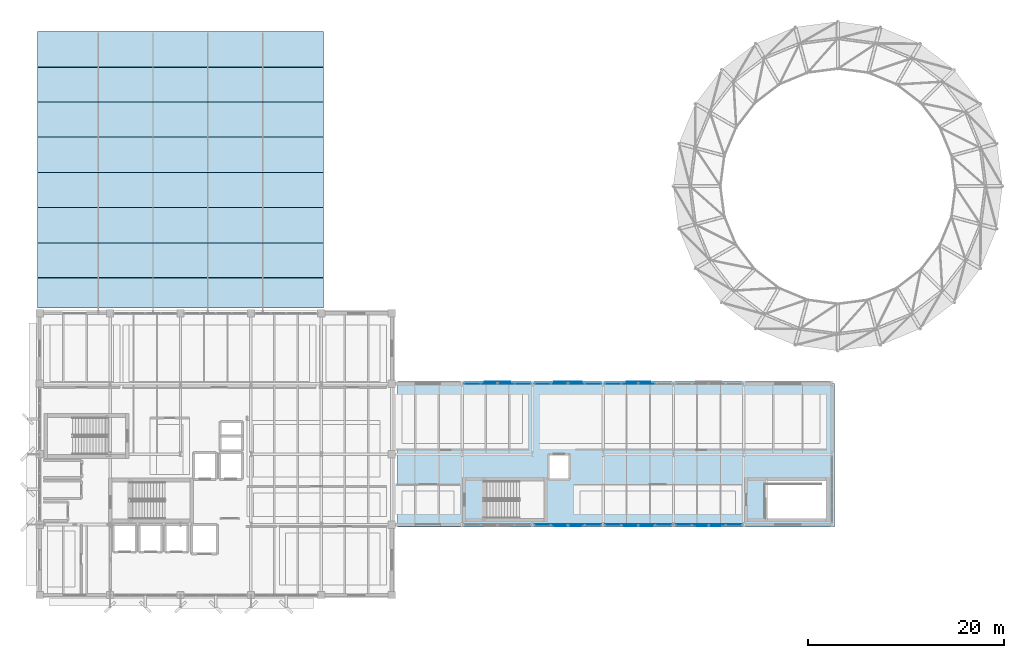
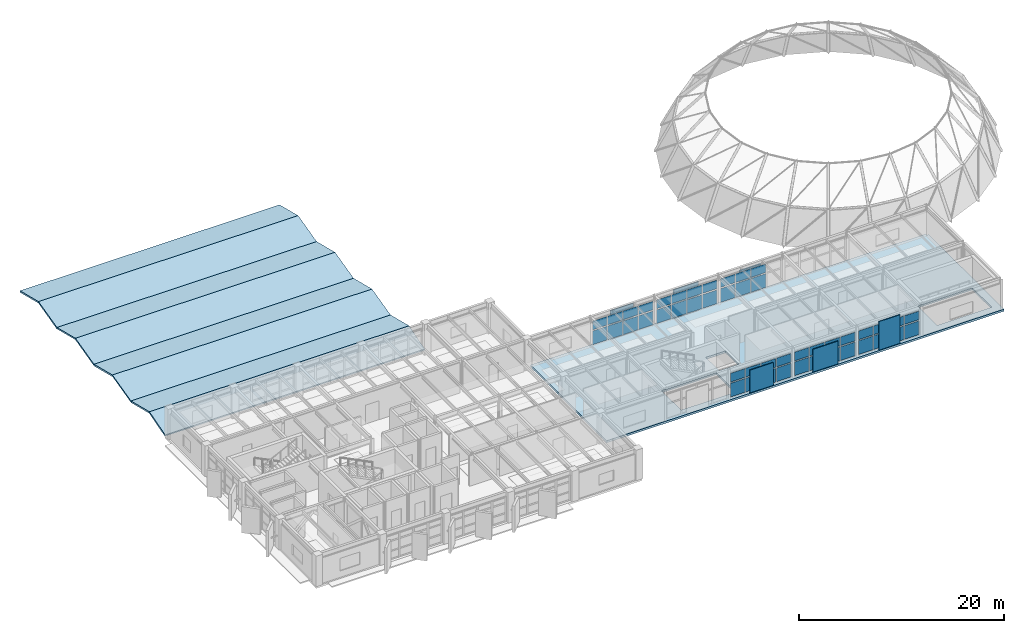
# One storey, part 28 of 48: 52 plates, 9 slabs, 6 elements without a shape of their own.
"""IFC4 building model written with IfcOpenShell, lengths in metres."""

from ifc_helpers import new_model, si_unit, direction, frame, origin, origin_2d, place, context, subcontext, project, spatial, polyline, rectangle, outline, extrude, material, layer, layer_set, type_object, element, aggregate, save


model = new_model("IFC4")

# Units and contexts
model_context = context("Model", 3, precision=1e-05, world=origin(), true_north=direction((0.0, 1.0)))
body_context = subcontext(model_context, "Body", "Model", "MODEL_VIEW")
ifc_project = project(units=[si_unit("LENGTHUNIT", "METRE"), si_unit("AREAUNIT", "SQUARE_METRE"), si_unit("VOLUMEUNIT", "CUBIC_METRE"), si_unit("PLANEANGLEUNIT", "RADIAN"), si_unit("MASSUNIT", "GRAM", prefix="KILO")], contexts=[model_context])

# Site, building, storey
site_placement = place(None, origin())
site = spatial("IfcSite", under=ifc_project, at=site_placement, CompositionType="ELEMENT")
building_placement = place(site_placement, origin())
building = spatial("IfcBuilding", under=site, at=building_placement, Name="Kandorven Conservatory and Botanical Research Centre", CompositionType="ELEMENT")
storey_placement = place(building_placement, frame((0.0, 0.0, 13.199951171875)))
storey = spatial("IfcBuildingStorey", under=building, at=storey_placement, Name="L03", CompositionType="ELEMENT", Elevation=13.199951171875)

# Curtain wall, plates
ifc_material_1 = material(Name="Bronze anodised thermally broken aluminium", Category="aluminium")
ifc_layer_1 = layer(ifc_material_1, 0.179931640625)
ifc_layer_set_1 = layer_set([ifc_layer_1], Name="Bronze anodised thermally broken aluminium")
curtain_wall_type = type_object("IfcCurtainWallType", Name="CW_Unitised", PredefinedType="USERDEFINED", material=ifc_layer_set_1)
curtain_wall_1_placement = place(storey_placement, origin())
curtain_wall_1 = element("IfcCurtainWall", 1, at=curtain_wall_1_placement, inside=storey, type_object=curtain_wall_type, Name="Visitor wing unitised curtain wall CW-VIS-S-L03-3", ObjectType="UNITISED GLAZING", PredefinedType="USERDEFINED")
ifc_material_2 = material(Name="Double-glazed solar-control low-E glass", Category="glass")
ifc_layer_2 = layer(ifc_material_2, 0.028076171875)
ifc_layer_set_2 = layer_set([ifc_layer_2], Name="Double-glazed solar-control low-E glass")
plate_type_1 = type_object("IfcPlateType", Name="CW_Panel", PredefinedType="CURTAIN_PANEL", material=ifc_layer_set_2)
plate_1_placement = place(storey_placement, frame((57.413818359375, 13.199951171875, 0.150146484375), z_axis=(0.0, 0.0, 1.0), x_axis=(1.0, 0.0, 0.0)))
plate_1 = element("IfcPlate", 2, at=plate_1_placement, type_object=plate_type_1, Name="CW-01 panel 1.1", PredefinedType="CURTAIN_PANEL", context=body_context, shape_type="SweptSolid", body=[
    extrude(rectangle(XDim=1.617431640625, YDim=0.028076171875, at=origin_2d()), origin(), (0.0, 0.0, 1.0), 1.625),
])
plate_2_placement = place(storey_placement, frame((57.413818359375, 13.199951171875, 1.925048828125), z_axis=(0.0, 0.0, 1.0), x_axis=(1.0, 0.0, 0.0)))
plate_2 = element("IfcPlate", 3, at=plate_2_placement, type_object=plate_type_1, Name="CW-01 panel 1.2", PredefinedType="CURTAIN_PANEL", context=body_context, shape_type="SweptSolid", body=[
    extrude(rectangle(XDim=1.617431640625, YDim=0.028076171875, at=origin_2d()), origin(), (0.0, 0.0, 1.0), 1.02490234375),
])
plate_3_placement = place(storey_placement, frame((59.13134765625, 13.199951171875, 0.150146484375), z_axis=(0.0, 0.0, 1.0), x_axis=(1.0, 0.0, 0.0)))
plate_3 = element("IfcPlate", 4, at=plate_3_placement, type_object=plate_type_1, Name="CW-01 panel 2.1", PredefinedType="CURTAIN_PANEL", context=body_context, shape_type="SweptSolid", body=[
    extrude(rectangle(XDim=1.657470703125, YDim=0.028076171875, at=origin_2d()), origin(), (0.0, 0.0, 1.0), 1.625),
])
plate_4_placement = place(storey_placement, frame((59.13134765625, 13.199951171875, 1.925048828125), z_axis=(0.0, 0.0, 1.0), x_axis=(1.0, 0.0, 0.0)))
plate_4 = element("IfcPlate", 5, at=plate_4_placement, type_object=plate_type_1, Name="CW-01 panel 2.2", PredefinedType="CURTAIN_PANEL", context=body_context, shape_type="SweptSolid", body=[
    extrude(rectangle(XDim=1.657470703125, YDim=0.028076171875, at=origin_2d()), origin(), (0.0, 0.0, 1.0), 1.02490234375),
])
plate_5_placement = place(storey_placement, frame((60.86865234375, 13.199951171875, 0.150146484375), z_axis=(0.0, 0.0, 1.0), x_axis=(1.0, 0.0, 0.0)))
plate_5 = element("IfcPlate", 6, at=plate_5_placement, type_object=plate_type_1, Name="CW-01 panel 3.1", PredefinedType="CURTAIN_PANEL", context=body_context, shape_type="SweptSolid", body=[
    extrude(rectangle(XDim=1.657470703125, YDim=0.028076171875, at=origin_2d()), origin(), (0.0, 0.0, 1.0), 1.625),
])
plate_6_placement = place(storey_placement, frame((60.86865234375, 13.199951171875, 1.925048828125), z_axis=(0.0, 0.0, 1.0), x_axis=(1.0, 0.0, 0.0)))
plate_6 = element("IfcPlate", 7, at=plate_6_placement, type_object=plate_type_1, Name="CW-01 panel 3.2", PredefinedType="CURTAIN_PANEL", context=body_context, shape_type="SweptSolid", body=[
    extrude(rectangle(XDim=1.657470703125, YDim=0.028076171875, at=origin_2d()), origin(), (0.0, 0.0, 1.0), 1.02490234375),
])
plate_7_placement = place(storey_placement, frame((62.586181640625, 13.199951171875, 0.150146484375), z_axis=(0.0, 0.0, 1.0), x_axis=(1.0, 0.0, 0.0)))
plate_7 = element("IfcPlate", 8, at=plate_7_placement, type_object=plate_type_1, Name="CW-01 panel 4.1", PredefinedType="CURTAIN_PANEL", context=body_context, shape_type="SweptSolid", body=[
    extrude(rectangle(XDim=1.617431640625, YDim=0.028076171875, at=origin_2d()), origin(), (0.0, 0.0, 1.0), 1.625),
])
plate_8_placement = place(storey_placement, frame((62.586181640625, 13.199951171875, 1.925048828125), z_axis=(0.0, 0.0, 1.0), x_axis=(1.0, 0.0, 0.0)))
plate_8 = element("IfcPlate", 9, at=plate_8_placement, type_object=plate_type_1, Name="CW-01 panel 4.2", PredefinedType="CURTAIN_PANEL", context=body_context, shape_type="SweptSolid", body=[
    extrude(rectangle(XDim=1.617431640625, YDim=0.028076171875, at=origin_2d()), origin(), (0.0, 0.0, 1.0), 1.02490234375),
])
aggregate(curtain_wall_1, [plate_1, plate_2, plate_3, plate_4, plate_5, plate_6, plate_7, plate_8])

curtain_wall_2_placement = place(storey_placement, origin())
curtain_wall_2 = element("IfcCurtainWall", 10, at=curtain_wall_2_placement, inside=storey, type_object=curtain_wall_type, Name="Visitor wing unitised curtain wall CW-VIS-S-L03-4", ObjectType="UNITISED GLAZING", PredefinedType="USERDEFINED")
plate_9_placement = place(storey_placement, frame((64.61376953125, 13.199951171875, 0.150146484375), z_axis=(0.0, 0.0, 1.0), x_axis=(1.0, 0.0, 0.0)))
plate_9 = element("IfcPlate", 11, at=plate_9_placement, type_object=plate_type_1, Name="CW-01 panel 1.1", PredefinedType="CURTAIN_PANEL", context=body_context, shape_type="SweptSolid", body=[
    extrude(rectangle(XDim=1.617431640625, YDim=0.028076171875, at=origin_2d()), origin(), (0.0, 0.0, 1.0), 1.625),
])
plate_10_placement = place(storey_placement, frame((64.61376953125, 13.199951171875, 1.925048828125), z_axis=(0.0, 0.0, 1.0), x_axis=(1.0, 0.0, 0.0)))
plate_10 = element("IfcPlate", 12, at=plate_10_placement, type_object=plate_type_1, Name="CW-01 panel 1.2", PredefinedType="CURTAIN_PANEL", context=body_context, shape_type="SweptSolid", body=[
    extrude(rectangle(XDim=1.617431640625, YDim=0.028076171875, at=origin_2d()), origin(), (0.0, 0.0, 1.0), 1.02490234375),
])
plate_11_placement = place(storey_placement, frame((66.331298828125, 13.199951171875, 0.150146484375), z_axis=(0.0, 0.0, 1.0), x_axis=(1.0, 0.0, 0.0)))
plate_11 = element("IfcPlate", 13, at=plate_11_placement, type_object=plate_type_1, Name="CW-01 panel 2.1", PredefinedType="CURTAIN_PANEL", context=body_context, shape_type="SweptSolid", body=[
    extrude(rectangle(XDim=1.657470703125, YDim=0.028076171875, at=origin_2d()), origin(), (0.0, 0.0, 1.0), 1.625),
])
plate_12_placement = place(storey_placement, frame((66.331298828125, 13.199951171875, 1.925048828125), z_axis=(0.0, 0.0, 1.0), x_axis=(1.0, 0.0, 0.0)))
plate_12 = element("IfcPlate", 14, at=plate_12_placement, type_object=plate_type_1, Name="CW-01 panel 2.2", PredefinedType="CURTAIN_PANEL", context=body_context, shape_type="SweptSolid", body=[
    extrude(rectangle(XDim=1.657470703125, YDim=0.028076171875, at=origin_2d()), origin(), (0.0, 0.0, 1.0), 1.02490234375),
])
plate_13_placement = place(storey_placement, frame((68.06884765625, 13.199951171875, 0.150146484375), z_axis=(0.0, 0.0, 1.0), x_axis=(1.0, 0.0, 0.0)))
plate_13 = element("IfcPlate", 15, at=plate_13_placement, type_object=plate_type_1, Name="CW-01 panel 3.1", PredefinedType="CURTAIN_PANEL", context=body_context, shape_type="SweptSolid", body=[
    extrude(rectangle(XDim=1.657470703125, YDim=0.028076171875, at=origin_2d()), origin(), (0.0, 0.0, 1.0), 1.625),
])
plate_14_placement = place(storey_placement, frame((68.06884765625, 13.199951171875, 1.925048828125), z_axis=(0.0, 0.0, 1.0), x_axis=(1.0, 0.0, 0.0)))
plate_14 = element("IfcPlate", 16, at=plate_14_placement, type_object=plate_type_1, Name="CW-01 panel 3.2", PredefinedType="CURTAIN_PANEL", context=body_context, shape_type="SweptSolid", body=[
    extrude(rectangle(XDim=1.657470703125, YDim=0.028076171875, at=origin_2d()), origin(), (0.0, 0.0, 1.0), 1.02490234375),
])
plate_15_placement = place(storey_placement, frame((69.7861328125, 13.199951171875, 0.150146484375), z_axis=(0.0, 0.0, 1.0), x_axis=(1.0, 0.0, 0.0)))
plate_15 = element("IfcPlate", 17, at=plate_15_placement, type_object=plate_type_1, Name="CW-01 panel 4.1", PredefinedType="CURTAIN_PANEL", context=body_context, shape_type="SweptSolid", body=[
    extrude(rectangle(XDim=1.617431640625, YDim=0.028076171875, at=origin_2d()), origin(), (0.0, 0.0, 1.0), 1.625),
])
plate_16_placement = place(storey_placement, frame((69.7861328125, 13.199951171875, 1.925048828125), z_axis=(0.0, 0.0, 1.0), x_axis=(1.0, 0.0, 0.0)))
plate_16 = element("IfcPlate", 18, at=plate_16_placement, type_object=plate_type_1, Name="CW-01 panel 4.2", PredefinedType="CURTAIN_PANEL", context=body_context, shape_type="SweptSolid", body=[
    extrude(rectangle(XDim=1.617431640625, YDim=0.028076171875, at=origin_2d()), origin(), (0.0, 0.0, 1.0), 1.02490234375),
])
aggregate(curtain_wall_2, [plate_9, plate_10, plate_11, plate_12, plate_13, plate_14, plate_15, plate_16])

curtain_wall_3_placement = place(storey_placement, origin())
curtain_wall_3 = element("IfcCurtainWall", 19, at=curtain_wall_3_placement, inside=storey, type_object=curtain_wall_type, Name="Visitor wing unitised curtain wall CW-VIS-S-L03-5", ObjectType="UNITISED GLAZING", PredefinedType="USERDEFINED")
plate_17_placement = place(storey_placement, frame((71.813720703125, 13.199951171875, 0.150146484375), z_axis=(0.0, 0.0, 1.0), x_axis=(1.0, 0.0, 0.0)))
plate_17 = element("IfcPlate", 20, at=plate_17_placement, type_object=plate_type_1, Name="CW-01 panel 1.1", PredefinedType="CURTAIN_PANEL", context=body_context, shape_type="SweptSolid", body=[
    extrude(rectangle(XDim=1.617431640625, YDim=0.028076171875, at=origin_2d()), origin(), (0.0, 0.0, 1.0), 1.625),
])
plate_18_placement = place(storey_placement, frame((71.813720703125, 13.199951171875, 1.925048828125), z_axis=(0.0, 0.0, 1.0), x_axis=(1.0, 0.0, 0.0)))
plate_18 = element("IfcPlate", 21, at=plate_18_placement, type_object=plate_type_1, Name="CW-01 panel 1.2", PredefinedType="CURTAIN_PANEL", context=body_context, shape_type="SweptSolid", body=[
    extrude(rectangle(XDim=1.617431640625, YDim=0.028076171875, at=origin_2d()), origin(), (0.0, 0.0, 1.0), 1.02490234375),
])
plate_19_placement = place(storey_placement, frame((73.53125, 13.199951171875, 0.150146484375), z_axis=(0.0, 0.0, 1.0), x_axis=(1.0, 0.0, 0.0)))
plate_19 = element("IfcPlate", 22, at=plate_19_placement, type_object=plate_type_1, Name="CW-01 panel 2.1", PredefinedType="CURTAIN_PANEL", context=body_context, shape_type="SweptSolid", body=[
    extrude(rectangle(XDim=1.657470703125, YDim=0.028076171875, at=origin_2d()), origin(), (0.0, 0.0, 1.0), 1.625),
])
plate_20_placement = place(storey_placement, frame((73.53125, 13.199951171875, 1.925048828125), z_axis=(0.0, 0.0, 1.0), x_axis=(1.0, 0.0, 0.0)))
plate_20 = element("IfcPlate", 23, at=plate_20_placement, type_object=plate_type_1, Name="CW-01 panel 2.2", PredefinedType="CURTAIN_PANEL", context=body_context, shape_type="SweptSolid", body=[
    extrude(rectangle(XDim=1.657470703125, YDim=0.028076171875, at=origin_2d()), origin(), (0.0, 0.0, 1.0), 1.02490234375),
])
plate_21_placement = place(storey_placement, frame((75.268798828125, 13.199951171875, 0.150146484375), z_axis=(0.0, 0.0, 1.0), x_axis=(1.0, 0.0, 0.0)))
plate_21 = element("IfcPlate", 24, at=plate_21_placement, type_object=plate_type_1, Name="CW-01 panel 3.1", PredefinedType="CURTAIN_PANEL", context=body_context, shape_type="SweptSolid", body=[
    extrude(rectangle(XDim=1.657470703125, YDim=0.028076171875, at=origin_2d()), origin(), (0.0, 0.0, 1.0), 1.625),
])
plate_22_placement = place(storey_placement, frame((75.268798828125, 13.199951171875, 1.925048828125), z_axis=(0.0, 0.0, 1.0), x_axis=(1.0, 0.0, 0.0)))
plate_22 = element("IfcPlate", 25, at=plate_22_placement, type_object=plate_type_1, Name="CW-01 panel 3.2", PredefinedType="CURTAIN_PANEL", context=body_context, shape_type="SweptSolid", body=[
    extrude(rectangle(XDim=1.657470703125, YDim=0.028076171875, at=origin_2d()), origin(), (0.0, 0.0, 1.0), 1.02490234375),
])
plate_23_placement = place(storey_placement, frame((76.986328125, 13.199951171875, 0.150146484375), z_axis=(0.0, 0.0, 1.0), x_axis=(1.0, 0.0, 0.0)))
plate_23 = element("IfcPlate", 26, at=plate_23_placement, type_object=plate_type_1, Name="CW-01 panel 4.1", PredefinedType="CURTAIN_PANEL", context=body_context, shape_type="SweptSolid", body=[
    extrude(rectangle(XDim=1.617431640625, YDim=0.028076171875, at=origin_2d()), origin(), (0.0, 0.0, 1.0), 1.625),
])
plate_24_placement = place(storey_placement, frame((76.986328125, 13.199951171875, 1.925048828125), z_axis=(0.0, 0.0, 1.0), x_axis=(1.0, 0.0, 0.0)))
plate_24 = element("IfcPlate", 27, at=plate_24_placement, type_object=plate_type_1, Name="CW-01 panel 4.2", PredefinedType="CURTAIN_PANEL", context=body_context, shape_type="SweptSolid", body=[
    extrude(rectangle(XDim=1.617431640625, YDim=0.028076171875, at=origin_2d()), origin(), (0.0, 0.0, 1.0), 1.02490234375),
])
aggregate(curtain_wall_3, [plate_17, plate_18, plate_19, plate_20, plate_21, plate_22, plate_23, plate_24])

curtain_wall_4_placement = place(storey_placement, origin())
curtain_wall_4 = element("IfcCurtainWall", 28, at=curtain_wall_4_placement, inside=storey, type_object=curtain_wall_type, Name="Visitor wing unitised curtain wall CW-VIS-N-L03-2", ObjectType="UNITISED GLAZING", PredefinedType="USERDEFINED")
plate_25_placement = place(storey_placement, frame((50.2138671875, 27.60009765625, 0.150146484375), z_axis=(0.0, 0.0, 1.0), x_axis=(1.0, 0.0, 0.0)))
plate_25 = element("IfcPlate", 29, at=plate_25_placement, type_object=plate_type_1, Name="CW-01 panel 1.1", PredefinedType="CURTAIN_PANEL", context=body_context, shape_type="SweptSolid", body=[
    extrude(rectangle(XDim=1.617431640625, YDim=0.028076171875, at=origin_2d()), origin(), (0.0, 0.0, 1.0), 1.625),
])
plate_26_placement = place(storey_placement, frame((50.2138671875, 27.60009765625, 1.925048828125), z_axis=(0.0, 0.0, 1.0), x_axis=(1.0, 0.0, 0.0)))
plate_26 = element("IfcPlate", 30, at=plate_26_placement, type_object=plate_type_1, Name="CW-01 panel 1.2", PredefinedType="CURTAIN_PANEL", context=body_context, shape_type="SweptSolid", body=[
    extrude(rectangle(XDim=1.617431640625, YDim=0.028076171875, at=origin_2d()), origin(), (0.0, 0.0, 1.0), 1.02490234375),
])
plate_27_placement = place(storey_placement, frame((51.93115234375, 27.60009765625, 0.150146484375), z_axis=(0.0, 0.0, 1.0), x_axis=(1.0, 0.0, 0.0)))
plate_27 = element("IfcPlate", 31, at=plate_27_placement, type_object=plate_type_1, Name="CW-01 panel 2.1", PredefinedType="CURTAIN_PANEL", context=body_context, shape_type="SweptSolid", body=[
    extrude(rectangle(XDim=1.657470703125, YDim=0.028076171875, at=origin_2d()), origin(), (0.0, 0.0, 1.0), 1.625),
])
plate_28_placement = place(storey_placement, frame((51.93115234375, 27.60009765625, 1.925048828125), z_axis=(0.0, 0.0, 1.0), x_axis=(1.0, 0.0, 0.0)))
plate_28 = element("IfcPlate", 32, at=plate_28_placement, type_object=plate_type_1, Name="CW-01 panel 2.2", PredefinedType="CURTAIN_PANEL", context=body_context, shape_type="SweptSolid", body=[
    extrude(rectangle(XDim=1.657470703125, YDim=0.028076171875, at=origin_2d()), origin(), (0.0, 0.0, 1.0), 1.02490234375),
])
plate_29_placement = place(storey_placement, frame((53.668701171875, 27.60009765625, 0.150146484375), z_axis=(0.0, 0.0, 1.0), x_axis=(1.0, 0.0, 0.0)))
plate_29 = element("IfcPlate", 33, at=plate_29_placement, type_object=plate_type_1, Name="CW-01 panel 3.1", PredefinedType="CURTAIN_PANEL", context=body_context, shape_type="SweptSolid", body=[
    extrude(rectangle(XDim=1.657470703125, YDim=0.028076171875, at=origin_2d()), origin(), (0.0, 0.0, 1.0), 1.625),
])
plate_30_placement = place(storey_placement, frame((53.668701171875, 27.60009765625, 1.925048828125), z_axis=(0.0, 0.0, 1.0), x_axis=(1.0, 0.0, 0.0)))
plate_30 = element("IfcPlate", 34, at=plate_30_placement, type_object=plate_type_1, Name="CW-01 panel 3.2", PredefinedType="CURTAIN_PANEL", context=body_context, shape_type="SweptSolid", body=[
    extrude(rectangle(XDim=1.657470703125, YDim=0.028076171875, at=origin_2d()), origin(), (0.0, 0.0, 1.0), 1.02490234375),
])
plate_31_placement = place(storey_placement, frame((55.38623046875, 27.60009765625, 0.150146484375), z_axis=(0.0, 0.0, 1.0), x_axis=(1.0, 0.0, 0.0)))
plate_31 = element("IfcPlate", 35, at=plate_31_placement, type_object=plate_type_1, Name="CW-01 panel 4.1", PredefinedType="CURTAIN_PANEL", context=body_context, shape_type="SweptSolid", body=[
    extrude(rectangle(XDim=1.617431640625, YDim=0.028076171875, at=origin_2d()), origin(), (0.0, 0.0, 1.0), 1.625),
])
plate_32_placement = place(storey_placement, frame((55.38623046875, 27.60009765625, 1.925048828125), z_axis=(0.0, 0.0, 1.0), x_axis=(1.0, 0.0, 0.0)))
plate_32 = element("IfcPlate", 36, at=plate_32_placement, type_object=plate_type_1, Name="CW-01 panel 4.2", PredefinedType="CURTAIN_PANEL", context=body_context, shape_type="SweptSolid", body=[
    extrude(rectangle(XDim=1.617431640625, YDim=0.028076171875, at=origin_2d()), origin(), (0.0, 0.0, 1.0), 1.02490234375),
])
aggregate(curtain_wall_4, [plate_25, plate_26, plate_27, plate_28, plate_29, plate_30, plate_31, plate_32])

curtain_wall_5_placement = place(storey_placement, origin())
curtain_wall_5 = element("IfcCurtainWall", 37, at=curtain_wall_5_placement, inside=storey, type_object=curtain_wall_type, Name="Visitor wing unitised curtain wall CW-VIS-N-L03-3", ObjectType="UNITISED GLAZING", PredefinedType="USERDEFINED")
plate_33_placement = place(storey_placement, frame((57.413818359375, 27.60009765625, 0.150146484375), z_axis=(0.0, 0.0, 1.0), x_axis=(1.0, 0.0, 0.0)))
plate_33 = element("IfcPlate", 38, at=plate_33_placement, type_object=plate_type_1, Name="CW-01 panel 1.1", PredefinedType="CURTAIN_PANEL", context=body_context, shape_type="SweptSolid", body=[
    extrude(rectangle(XDim=1.617431640625, YDim=0.028076171875, at=origin_2d()), origin(), (0.0, 0.0, 1.0), 1.625),
])
plate_34_placement = place(storey_placement, frame((57.413818359375, 27.60009765625, 1.925048828125), z_axis=(0.0, 0.0, 1.0), x_axis=(1.0, 0.0, 0.0)))
plate_34 = element("IfcPlate", 39, at=plate_34_placement, type_object=plate_type_1, Name="CW-01 panel 1.2", PredefinedType="CURTAIN_PANEL", context=body_context, shape_type="SweptSolid", body=[
    extrude(rectangle(XDim=1.617431640625, YDim=0.028076171875, at=origin_2d()), origin(), (0.0, 0.0, 1.0), 1.02490234375),
])
plate_35_placement = place(storey_placement, frame((59.13134765625, 27.60009765625, 0.150146484375), z_axis=(0.0, 0.0, 1.0), x_axis=(1.0, 0.0, 0.0)))
plate_35 = element("IfcPlate", 40, at=plate_35_placement, type_object=plate_type_1, Name="CW-01 panel 2.1", PredefinedType="CURTAIN_PANEL", context=body_context, shape_type="SweptSolid", body=[
    extrude(rectangle(XDim=1.657470703125, YDim=0.028076171875, at=origin_2d()), origin(), (0.0, 0.0, 1.0), 1.625),
])
plate_36_placement = place(storey_placement, frame((59.13134765625, 27.60009765625, 1.925048828125), z_axis=(0.0, 0.0, 1.0), x_axis=(1.0, 0.0, 0.0)))
plate_36 = element("IfcPlate", 41, at=plate_36_placement, type_object=plate_type_1, Name="CW-01 panel 2.2", PredefinedType="CURTAIN_PANEL", context=body_context, shape_type="SweptSolid", body=[
    extrude(rectangle(XDim=1.657470703125, YDim=0.028076171875, at=origin_2d()), origin(), (0.0, 0.0, 1.0), 1.02490234375),
])
plate_37_placement = place(storey_placement, frame((60.86865234375, 27.60009765625, 0.150146484375), z_axis=(0.0, 0.0, 1.0), x_axis=(1.0, 0.0, 0.0)))
plate_37 = element("IfcPlate", 42, at=plate_37_placement, type_object=plate_type_1, Name="CW-01 panel 3.1", PredefinedType="CURTAIN_PANEL", context=body_context, shape_type="SweptSolid", body=[
    extrude(rectangle(XDim=1.657470703125, YDim=0.028076171875, at=origin_2d()), origin(), (0.0, 0.0, 1.0), 1.625),
])
plate_38_placement = place(storey_placement, frame((60.86865234375, 27.60009765625, 1.925048828125), z_axis=(0.0, 0.0, 1.0), x_axis=(1.0, 0.0, 0.0)))
plate_38 = element("IfcPlate", 43, at=plate_38_placement, type_object=plate_type_1, Name="CW-01 panel 3.2", PredefinedType="CURTAIN_PANEL", context=body_context, shape_type="SweptSolid", body=[
    extrude(rectangle(XDim=1.657470703125, YDim=0.028076171875, at=origin_2d()), origin(), (0.0, 0.0, 1.0), 1.02490234375),
])
plate_39_placement = place(storey_placement, frame((62.586181640625, 27.60009765625, 0.150146484375), z_axis=(0.0, 0.0, 1.0), x_axis=(1.0, 0.0, 0.0)))
plate_39 = element("IfcPlate", 44, at=plate_39_placement, type_object=plate_type_1, Name="CW-01 panel 4.1", PredefinedType="CURTAIN_PANEL", context=body_context, shape_type="SweptSolid", body=[
    extrude(rectangle(XDim=1.617431640625, YDim=0.028076171875, at=origin_2d()), origin(), (0.0, 0.0, 1.0), 1.625),
])
plate_40_placement = place(storey_placement, frame((62.586181640625, 27.60009765625, 1.925048828125), z_axis=(0.0, 0.0, 1.0), x_axis=(1.0, 0.0, 0.0)))
plate_40 = element("IfcPlate", 45, at=plate_40_placement, type_object=plate_type_1, Name="CW-01 panel 4.2", PredefinedType="CURTAIN_PANEL", context=body_context, shape_type="SweptSolid", body=[
    extrude(rectangle(XDim=1.617431640625, YDim=0.028076171875, at=origin_2d()), origin(), (0.0, 0.0, 1.0), 1.02490234375),
])
aggregate(curtain_wall_5, [plate_33, plate_34, plate_35, plate_36, plate_37, plate_38, plate_39, plate_40])

curtain_wall_6_placement = place(storey_placement, origin())
curtain_wall_6 = element("IfcCurtainWall", 46, at=curtain_wall_6_placement, inside=storey, type_object=curtain_wall_type, Name="Visitor wing unitised curtain wall CW-VIS-N-L03-4", ObjectType="UNITISED GLAZING", PredefinedType="USERDEFINED")
plate_41_placement = place(storey_placement, frame((64.61376953125, 27.60009765625, 0.150146484375), z_axis=(0.0, 0.0, 1.0), x_axis=(1.0, 0.0, 0.0)))
plate_41 = element("IfcPlate", 47, at=plate_41_placement, type_object=plate_type_1, Name="CW-01 panel 1.1", PredefinedType="CURTAIN_PANEL", context=body_context, shape_type="SweptSolid", body=[
    extrude(rectangle(XDim=1.617431640625, YDim=0.028076171875, at=origin_2d()), origin(), (0.0, 0.0, 1.0), 1.625),
])
plate_42_placement = place(storey_placement, frame((64.61376953125, 27.60009765625, 1.925048828125), z_axis=(0.0, 0.0, 1.0), x_axis=(1.0, 0.0, 0.0)))
plate_42 = element("IfcPlate", 48, at=plate_42_placement, type_object=plate_type_1, Name="CW-01 panel 1.2", PredefinedType="CURTAIN_PANEL", context=body_context, shape_type="SweptSolid", body=[
    extrude(rectangle(XDim=1.617431640625, YDim=0.028076171875, at=origin_2d()), origin(), (0.0, 0.0, 1.0), 1.02490234375),
])
plate_43_placement = place(storey_placement, frame((66.331298828125, 27.60009765625, 0.150146484375), z_axis=(0.0, 0.0, 1.0), x_axis=(1.0, 0.0, 0.0)))
plate_43 = element("IfcPlate", 49, at=plate_43_placement, type_object=plate_type_1, Name="CW-01 panel 2.1", PredefinedType="CURTAIN_PANEL", context=body_context, shape_type="SweptSolid", body=[
    extrude(rectangle(XDim=1.657470703125, YDim=0.028076171875, at=origin_2d()), origin(), (0.0, 0.0, 1.0), 1.625),
])
plate_44_placement = place(storey_placement, frame((66.331298828125, 27.60009765625, 1.925048828125), z_axis=(0.0, 0.0, 1.0), x_axis=(1.0, 0.0, 0.0)))
plate_44 = element("IfcPlate", 50, at=plate_44_placement, type_object=plate_type_1, Name="CW-01 panel 2.2", PredefinedType="CURTAIN_PANEL", context=body_context, shape_type="SweptSolid", body=[
    extrude(rectangle(XDim=1.657470703125, YDim=0.028076171875, at=origin_2d()), origin(), (0.0, 0.0, 1.0), 1.02490234375),
])
plate_45_placement = place(storey_placement, frame((68.06884765625, 27.60009765625, 0.150146484375), z_axis=(0.0, 0.0, 1.0), x_axis=(1.0, 0.0, 0.0)))
plate_45 = element("IfcPlate", 51, at=plate_45_placement, type_object=plate_type_1, Name="CW-01 panel 3.1", PredefinedType="CURTAIN_PANEL", context=body_context, shape_type="SweptSolid", body=[
    extrude(rectangle(XDim=1.657470703125, YDim=0.028076171875, at=origin_2d()), origin(), (0.0, 0.0, 1.0), 1.625),
])
plate_46_placement = place(storey_placement, frame((68.06884765625, 27.60009765625, 1.925048828125), z_axis=(0.0, 0.0, 1.0), x_axis=(1.0, 0.0, 0.0)))
plate_46 = element("IfcPlate", 52, at=plate_46_placement, type_object=plate_type_1, Name="CW-01 panel 3.2", PredefinedType="CURTAIN_PANEL", context=body_context, shape_type="SweptSolid", body=[
    extrude(rectangle(XDim=1.657470703125, YDim=0.028076171875, at=origin_2d()), origin(), (0.0, 0.0, 1.0), 1.02490234375),
])
aggregate(curtain_wall_6, [plate_41, plate_42, plate_43, plate_44, plate_45, plate_46])

# Plates
ifc_material_3 = material(Name="Precast concrete C40/50 (M50)", Category="concrete")
ifc_layer_3 = layer(ifc_material_3, 0.090087890625)
ifc_layer_set_3 = layer_set([ifc_layer_3], Name="Precast concrete C40/50 (M50)")
plate_type_2 = type_object("IfcPlateType", Name="Jali_JP-01", PredefinedType="USERDEFINED", material=ifc_layer_set_3)
plate_47_placement = place(storey_placement, frame((74.39990234375, 13.06005859375, 0.0), z_axis=(0.0, 0.0, 1.0), x_axis=(1.0, 0.0, 0.0)))
element("IfcPlate", 53, at=plate_47_placement, inside=storey, type_object=plate_type_2, Name="Perforated precast concrete jali screen JP-01", ObjectType="JALI SCREEN", PredefinedType="USERDEFINED", context=body_context, shape_type="SweptSolid", body=[
    extrude(rectangle(XDim=2.39990234375, YDim=0.090087890625, at=origin_2d()), origin(), (0.0, 0.0, 1.0), 3.39990234375),
])
ifc_material_4 = material(Name="Precast concrete C40/50 (M50)", Category="concrete")
ifc_layer_4 = layer(ifc_material_4, 0.094970703125)
ifc_layer_set_4 = layer_set([ifc_layer_4], Name="Precast concrete C40/50 (M50)")
plate_type_3 = type_object("IfcPlateType", Name="Jali_JP-02", PredefinedType="USERDEFINED", material=ifc_layer_set_4)
plate_48_placement = place(storey_placement, frame((52.800048828125, 27.739990234375, 0.0), z_axis=(0.0, 0.0, 1.0), x_axis=(1.0, 0.0, 0.0)))
element("IfcPlate", 54, at=plate_48_placement, inside=storey, type_object=plate_type_3, Name="Perforated precast concrete jali screen JP-02", ObjectType="JALI SCREEN", PredefinedType="USERDEFINED", context=body_context, shape_type="SweptSolid", body=[
    extrude(rectangle(XDim=2.60009765625, YDim=0.094970703125, at=origin_2d()), origin(), (0.0, 0.0, 1.0), 3.39990234375),
])
ifc_material_5 = material(Name="Precast concrete C40/50 (M50)", Category="concrete")
ifc_layer_5 = layer(ifc_material_5, 0.10009765625)
ifc_layer_set_5 = layer_set([ifc_layer_5], Name="Precast concrete C40/50 (M50)")
plate_type_4 = type_object("IfcPlateType", Name="Jali_JP-03", PredefinedType="USERDEFINED", material=ifc_layer_set_5)
plate_49_placement = place(storey_placement, frame((60.0, 27.739990234375, 0.0), z_axis=(0.0, 0.0, 1.0), x_axis=(1.0, 0.0, 0.0)))
element("IfcPlate", 55, at=plate_49_placement, inside=storey, type_object=plate_type_4, Name="Perforated precast concrete jali screen JP-03", ObjectType="JALI SCREEN", PredefinedType="USERDEFINED", context=body_context, shape_type="SweptSolid", body=[
    extrude(rectangle(XDim=2.800048828125, YDim=0.10009765625, at=origin_2d()), origin(), (0.0, 0.0, 1.0), 3.39990234375),
])
ifc_material_6 = material(Name="Precast concrete C40/50 (M50)", Category="concrete")
ifc_layer_6 = layer(ifc_material_6, 0.090087890625)
ifc_layer_set_6 = layer_set([ifc_layer_6], Name="Precast concrete C40/50 (M50)")
plate_type_5 = type_object("IfcPlateType", Name="Jali_JP-04", PredefinedType="USERDEFINED", material=ifc_layer_set_6)
plate_50_placement = place(storey_placement, frame((67.199951171875, 27.739990234375, 0.0), z_axis=(0.0, 0.0, 1.0), x_axis=(1.0, 0.0, 0.0)))
element("IfcPlate", 56, at=plate_50_placement, inside=storey, type_object=plate_type_5, Name="Perforated precast concrete jali screen JP-04", ObjectType="JALI SCREEN", PredefinedType="USERDEFINED", context=body_context, shape_type="SweptSolid", body=[
    extrude(rectangle(XDim=2.39990234375, YDim=0.090087890625, at=origin_2d()), origin(), (0.0, 0.0, 1.0), 3.10009765625),
])
ifc_material_7 = material(Name="Precast concrete C40/50 (M50)", Category="concrete")
ifc_layer_7 = layer(ifc_material_7, 0.093994140625)
ifc_layer_set_7 = layer_set([ifc_layer_7], Name="Precast concrete C40/50 (M50)")
plate_type_6 = type_object("IfcPlateType", Name="Jali_JP-19", PredefinedType="USERDEFINED", material=ifc_layer_set_7)
plate_51_placement = place(storey_placement, frame((60.0, 13.06005859375, 0.0), z_axis=(0.0, 0.0, 1.0), x_axis=(1.0, 0.0, 0.0)))
element("IfcPlate", 57, at=plate_51_placement, inside=storey, type_object=plate_type_6, Name="Perforated precast concrete jali screen JP-19", ObjectType="JALI SCREEN", PredefinedType="USERDEFINED", context=body_context, shape_type="SweptSolid", body=[
    extrude(rectangle(XDim=2.64990234375, YDim=0.093994140625, at=origin_2d()), origin(), (0.0, 0.0, 1.0), 2.699951171875),
])
ifc_material_8 = material(Name="Precast concrete C40/50 (M50)", Category="concrete")
ifc_layer_8 = layer(ifc_material_8, 0.097900390625)
ifc_layer_set_8 = layer_set([ifc_layer_8], Name="Precast concrete C40/50 (M50)")
plate_type_7 = type_object("IfcPlateType", Name="Jali_JP-20", PredefinedType="USERDEFINED", material=ifc_layer_set_8)
plate_52_placement = place(storey_placement, frame((67.199951171875, 13.06005859375, 0.0), z_axis=(0.0, 0.0, 1.0), x_axis=(1.0, 0.0, 0.0)))
element("IfcPlate", 58, at=plate_52_placement, inside=storey, type_object=plate_type_7, Name="Perforated precast concrete jali screen JP-20", ObjectType="JALI SCREEN", PredefinedType="USERDEFINED", context=body_context, shape_type="SweptSolid", body=[
    extrude(rectangle(XDim=2.85009765625, YDim=0.097900390625, at=origin_2d()), origin(), (0.0, 0.0, 1.0), 2.699951171875),
])

# Slabs
ifc_material_9 = material(Name="Concrete C32/40 (M40)", Category="concrete")
ifc_layer_9 = layer(ifc_material_9, 0.205078125)
ifc_layer_set_9 = layer_set([ifc_layer_9], Name="Concrete C32/40 (M40)")
slab_type_1 = type_object("IfcSlabType", Name="Slab_FP-01", PredefinedType="ROOF", material=ifc_layer_set_9)
slab_1_placement = place(storey_placement, frame((5.800048828125, 35.320068359375, 0.0), z_axis=(0.0, -0.279833419938, 0.96004857017), x_axis=(1.0, 0.0, 0.0)))
element("IfcSlab", 59, at=slab_1_placement, inside=storey, type_object=slab_type_1, Name="Auditorium folded-plate roof slab 1", PredefinedType="ROOF", context=body_context, shape_type="SweptSolid", body=[
    extrude(outline(polyline([(0.0, 0.0), (29.199951171875, 0.0), (29.199951171875, 3.2079980951681693), (0.0, 3.2079980951681693), (0.0, 0.0)])), origin(), (0.0, 0.0, -1.0), 0.205078125),
])
slab_2_placement = place(storey_placement, frame((5.800048828125, 45.60009765625, 0.897705078125), z_axis=(0.0, 0.241962697577, 0.970285552289), x_axis=(1.0, 0.0, 0.0)))
element("IfcSlab", 60, at=slab_2_placement, inside=storey, type_object=slab_type_1, Name="Auditorium folded-plate roof slab 4", PredefinedType="ROOF", context=body_context, shape_type="SweptSolid", body=[
    extrude(outline(polyline([(0.0, 0.0), (29.199951171875, 0.0), (29.199951171875, 3.710096998900309), (0.0, 3.710096998900309), (0.0, 0.0)])), origin(), (0.0, 0.0, -1.0), 0.205078125),
])
slab_3_placement = place(storey_placement, frame((5.800048828125, 56.39990234375, 0.0), z_axis=(0.0, -0.241947249447, 0.9702894045), x_axis=(1.0, 0.0, 0.0)))
element("IfcSlab", 61, at=slab_3_placement, inside=storey, type_object=slab_type_1, Name="Auditorium folded-plate roof slab 7", PredefinedType="ROOF", context=body_context, shape_type="SweptSolid", body=[
    extrude(outline(polyline([(0.0, 0.0), (29.199951171875, 0.0), (29.199951171875, 3.7103338854917296), (0.0, 3.7103338854917296), (0.0, 0.0)])), origin(), (0.0, 0.0, -1.0), 0.205078125),
])
ifc_material_10 = material(Name="Concrete C32/40 (M40)", Category="concrete")
ifc_layer_10 = layer(ifc_material_10, 0.18994140625)
ifc_layer_set_10 = layer_set([ifc_layer_10], Name="Concrete C32/40 (M40)")
slab_type_2 = type_object("IfcSlabType", Name="Slab_FP-02", PredefinedType="ROOF", material=ifc_layer_set_10)
for number, where, z_axis, x_axis, name in (
    (62, (5.800048828125, 38.39990234375, 0.897705078125), (0.0, 0.241947249447, 0.9702894045), (1.0, 0.0, 0.0), "Auditorium folded-plate roof slab 2"),
    (63, (5.800048828125, 49.199951171875, 0.0), (0.0, -0.241947249447, 0.9702894045), (1.0, 0.0, 0.0), "Auditorium folded-plate roof slab 5"),
    (64, (5.800048828125, 60.0, 0.897705078125), (0.0, 0.241947249447, 0.9702894045), (1.0, 0.0, 0.0), "Auditorium folded-plate roof slab 8"),
):
    element("IfcSlab", number, at=place(storey_placement, frame(where, z_axis=z_axis, x_axis=x_axis)), inside=storey, type_object=slab_type_2, Name=name, PredefinedType="ROOF", context=body_context, shape_type="SweptSolid", body=[
        extrude(outline(polyline([(0.0, 0.0), (29.199951171875, 0.0), (29.199951171875, 3.7103338854917296), (0.0, 3.7103338854917296), (0.0, 0.0)])), origin(), (0.0, 0.0, -1.0), 0.18994140625),
    ])
ifc_material_11 = material(Name="Concrete C32/40 (M40)", Category="concrete")
ifc_layer_11 = layer(ifc_material_11, 0.175048828125)
ifc_layer_set_11 = layer_set([ifc_layer_11], Name="Concrete C32/40 (M40)")
slab_type_3 = type_object("IfcSlabType", Name="Slab_FP-03", PredefinedType="ROOF", material=ifc_layer_set_11)
slab_4_placement = place(storey_placement, frame((5.800048828125, 42.0, 0.0), z_axis=(0.0, -0.241947249447, 0.9702894045), x_axis=(1.0, 0.0, 0.0)))
element("IfcSlab", 65, at=slab_4_placement, inside=storey, type_object=slab_type_3, Name="Auditorium folded-plate roof slab 3", PredefinedType="ROOF", context=body_context, shape_type="SweptSolid", body=[
    extrude(outline(polyline([(0.0, 0.0), (29.199951171875, 0.0), (29.199951171875, 3.7103338854917296), (0.0, 3.7103338854917296), (0.0, 0.0)])), origin(), (0.0, 0.0, -1.0), 0.175048828125),
])
slab_5_placement = place(storey_placement, frame((5.800048828125, 52.800048828125, 0.897705078125), z_axis=(0.0, 0.241962697577, 0.970285552289), x_axis=(1.0, 0.0, 0.0)))
element("IfcSlab", 66, at=slab_5_placement, inside=storey, type_object=slab_type_3, Name="Auditorium folded-plate roof slab 6", PredefinedType="ROOF", context=body_context, shape_type="SweptSolid", body=[
    extrude(outline(polyline([(0.0, 0.0), (29.199951171875, 0.0), (29.199951171875, 3.710096998900309), (0.0, 3.710096998900309), (0.0, 0.0)])), origin(), (0.0, 0.0, -1.0), 0.175048828125),
])
ifc_material_12 = material(Name="Concrete C32/40 (M40)", Category="concrete")
ifc_layer_12 = layer(ifc_material_12, 0.239990234375)
ifc_layer_set_12 = layer_set([ifc_layer_12], Name="Concrete C32/40 (M40)")
slab_type_4 = type_object("IfcSlabType", Name="Slab_SL-07", PredefinedType="FLOOR", material=ifc_layer_set_12)
slab_6_placement = place(storey_placement, frame((0.0, 0.0, -0.239990234375)))
element("IfcSlab", 67, at=slab_6_placement, inside=storey, type_object=slab_type_4, Name="Visitor and education wing L03 floor slab", PredefinedType="FLOOR", context=body_context, shape_type="SweptSolid", body=[
    extrude(outline(polyline([(42.56005859375, 12.9599609375), (87.239990234375, 12.9599609375), (87.239990234375, 27.6201171875), (87.02001953125, 27.6201171875), (87.02001953125, 27.840087890625), (42.56005859375, 27.840087890625), (42.56005859375, 12.9599609375)]), holes=[polyline([(51.43994140625, 13.85009765625), (57.580078125, 13.85009765625), (57.580078125, 17.639892578125), (51.43994140625, 17.639892578125), (51.43994140625, 13.85009765625)]), polyline([(80.239990234375, 13.85009765625), (86.3798828125, 13.85009765625), (86.3798828125, 17.639892578125), (80.239990234375, 17.639892578125), (80.239990234375, 13.85009765625)]), polyline([(58.0, 17.800048828125), (60.199951171875, 17.800048828125), (60.199951171875, 20.39990234375), (58.0, 20.39990234375), (58.0, 17.800048828125)])]), origin(), (0.0, 0.0, 1.0), 0.239990234375),
])

save(model, "model.ifc")
